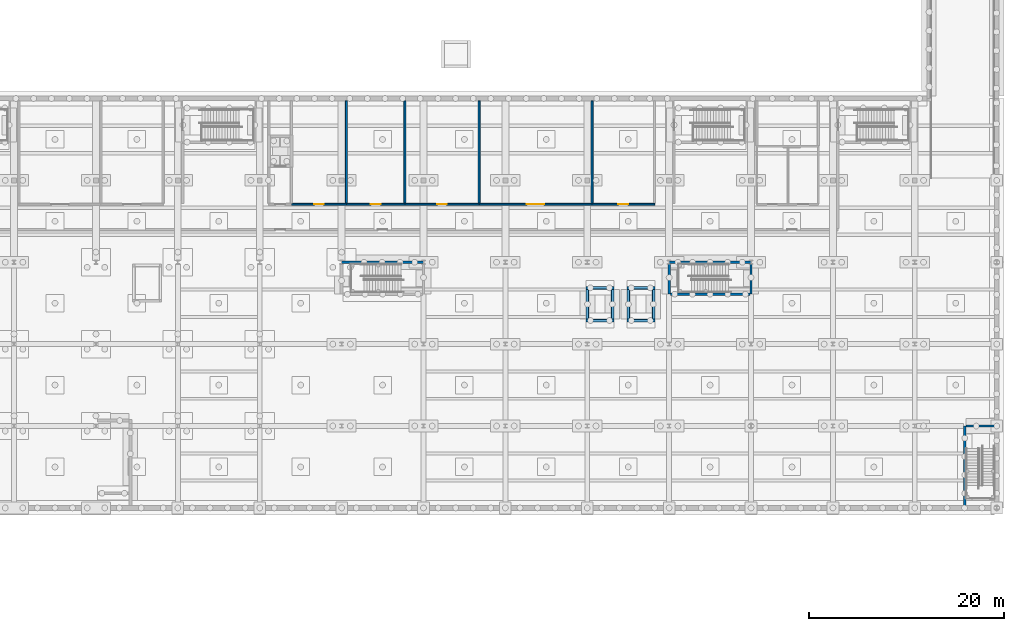
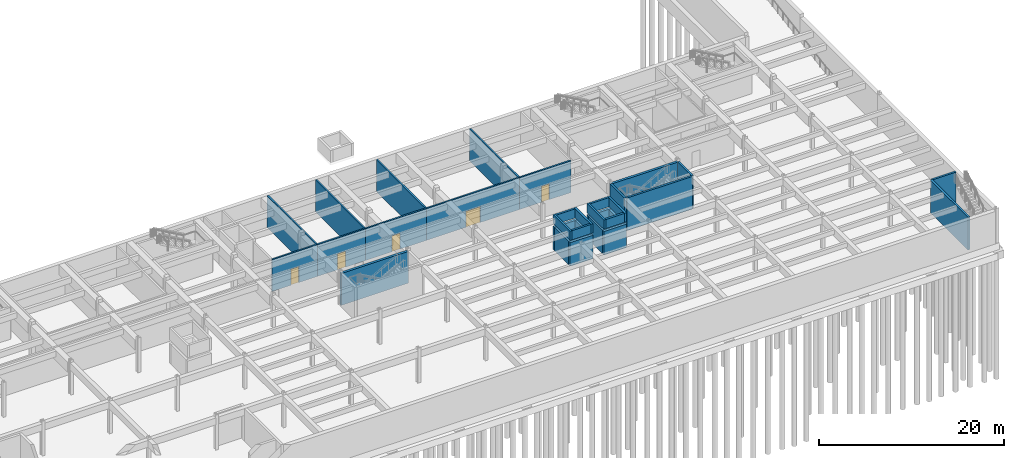
# One storey, part 24 of 33: 32 walls, 5 doors, 5 openings.
"""IFC4 building model written with IfcOpenShell, lengths in metres."""

from ifc_helpers import new_model, si_unit, direction, frame, frame_2d, origin, place, context, subcontext, project, spatial, rectangle, extrude, material, layer, layer_set, type_object, element, fill, save


model = new_model("IFC4")

# Units and contexts
model_context = context("Model", 3, precision=1e-05, world=origin(), true_north=direction((0.0, 1.0)))
body_context = subcontext(model_context, "Body", "Model", "MODEL_VIEW")
ifc_project = project(units=[si_unit("LENGTHUNIT", "METRE"), si_unit("AREAUNIT", "SQUARE_METRE"), si_unit("VOLUMEUNIT", "CUBIC_METRE"), si_unit("PLANEANGLEUNIT", "RADIAN"), si_unit("MASSUNIT", "GRAM", prefix="KILO")], contexts=[model_context])

# Site, building, storey
site_placement = place(None, origin())
site = spatial("IfcSite", under=ifc_project, at=site_placement, CompositionType="ELEMENT")
building_placement = place(site_placement, origin())
building = spatial("IfcBuilding", under=site, at=building_placement, Name="Ljudholm Concert House", CompositionType="ELEMENT")
storey_placement = place(building_placement, frame((0.0, 0.0, -4.60009765625)))
storey = spatial("IfcBuildingStorey", under=building, at=storey_placement, Name="B1", CompositionType="ELEMENT", Elevation=-4.60009765625)

# Wall, opening, door
ifc_material_1 = material(Name="Concrete masonry unit f'm 13.8 MPa", Category="masonry")
ifc_layer_1 = layer(ifc_material_1, 0.199951171875)
ifc_layer_set_1 = layer_set([ifc_layer_1], Name="Concrete masonry unit f'm 13.8 MPa")
wall_type_1 = type_object("IfcWallType", Name="MASONRY WALL 200", PredefinedType="SOLIDWALL", material=ifc_layer_set_1)
wall_1_placement = place(storey_placement, frame((49.25, 135.949951171875, 0.0), z_axis=(0.0, 0.0, 1.0), x_axis=(1.0, 0.0, 0.0)))
wall_1 = element("IfcWall", 1, at=wall_1_placement, inside=storey, type_object=wall_type_1, Name="Partition", PredefinedType="SOLIDWALL", context=body_context, shape_type="SweptSolid", body=[
    extrude(rectangle(XDim=5.64990234375, YDim=0.199951171875, at=frame_2d((2.824951171875, 0.0))), origin(), (0.0, 0.0, 1.0), 4.190185546875),
])
opening_1_placement = place(wall_1_placement, frame((2.324951171875, 0.0, 0.0)))
opening_1 = element("IfcOpeningElement", 2, at=opening_1_placement, cuts=wall_1, Name="Opening D-XB1-009", PredefinedType="OPENING", context=body_context, shape_type="SweptSolid", body=[
    extrude(rectangle(XDim=1.0, YDim=2.10009765625, at=frame_2d((0.5, 1.050048828125))), frame((0.0, 0.10986328125, 0.0), z_axis=(0.0, -1.0, 0.0), x_axis=(1.0, 0.0, 0.0)), (0.0, 0.0, 1.0), 0.219970703125),
])
ifc_material_2 = material(Name="Hollow metal door in steel frame", Category="steel")
door_type_1 = type_object("IfcDoorType", Name="SWING DOOR 1000x2100", OperationType="SINGLE_SWING_LEFT", PredefinedType="DOOR", material=ifc_material_2)
door_1_placement = place(opening_1_placement, origin())
door_1 = element("IfcDoor", 3, at=door_1_placement, inside=storey, type_object=door_type_1, Name="Electrical Room door", OperationType="SINGLE_SWING_RIGHT", OverallHeight=2.10009765625, OverallWidth=1.0, PredefinedType="DOOR", context=body_context, shape_type="SweptSolid", body=[
    extrude(rectangle(XDim=1.0, YDim=2.10009765625, at=frame_2d((0.5, 1.050048828125))), frame((0.0, 0.02490234375, 0.0), z_axis=(0.0, -1.0, 0.0), x_axis=(1.0, 0.0, 0.0)), (0.0, 0.0, 1.0), 0.050048828125),
])
fill(opening_1, door_1)

# Wall
wall_2_placement = place(storey_placement, frame((54.89990234375, 136.050048828125, 0.0), z_axis=(0.0, 0.0, 1.0), x_axis=(0.0, 1.0, 0.0)))
element("IfcWall", 4, at=wall_2_placement, inside=storey, type_object=wall_type_1, Name="Partition", PredefinedType="SOLIDWALL", context=body_context, shape_type="SweptSolid", body=[
    extrude(rectangle(XDim=10.5, YDim=0.199951171875, at=frame_2d((5.25, 0.0))), origin(), (0.0, 0.0, 1.0), 4.190185546875),
])

# Wall, opening, door
wall_3_placement = place(storey_placement, frame((54.89990234375, 135.949951171875, 0.0), z_axis=(0.0, 0.0, 1.0), x_axis=(1.0, 0.0, 0.0)))
wall_3 = element("IfcWall", 5, at=wall_3_placement, inside=storey, type_object=wall_type_1, Name="Partition", PredefinedType="SOLIDWALL", context=body_context, shape_type="SweptSolid", body=[
    extrude(rectangle(XDim=6.0, YDim=0.199951171875, at=frame_2d((3.0, 0.0))), origin(), (0.0, 0.0, 1.0), 4.190185546875),
])
opening_2_placement = place(wall_3_placement, frame((2.5, 0.0, 0.0)))
opening_2 = element("IfcOpeningElement", 6, at=opening_2_placement, cuts=wall_3, Name="Opening D-XB1-010", PredefinedType="OPENING", context=body_context, shape_type="SweptSolid", body=[
    extrude(rectangle(XDim=1.0, YDim=2.10009765625, at=frame_2d((0.5, 1.050048828125))), frame((0.0, 0.10986328125, 0.0), z_axis=(0.0, -1.0, 0.0), x_axis=(1.0, 0.0, 0.0)), (0.0, 0.0, 1.0), 0.219970703125),
])
door_2_placement = place(opening_2_placement, origin())
door_2 = element("IfcDoor", 7, at=door_2_placement, inside=storey, type_object=door_type_1, Name="Fire Pump Room door", OperationType="SINGLE_SWING_LEFT", OverallHeight=2.10009765625, OverallWidth=1.0, PredefinedType="DOOR", context=body_context, shape_type="SweptSolid", body=[
    extrude(rectangle(XDim=1.0, YDim=2.10009765625, at=frame_2d((0.5, 1.050048828125))), frame((0.0, 0.02490234375, 0.0), z_axis=(0.0, -1.0, 0.0), x_axis=(1.0, 0.0, 0.0)), (0.0, 0.0, 1.0), 0.050048828125),
])
fill(opening_2, door_2)

# Wall
wall_4_placement = place(storey_placement, frame((60.89990234375, 136.050048828125, 0.0), z_axis=(0.0, 0.0, 1.0), x_axis=(0.0, 1.0, 0.0)))
element("IfcWall", 8, at=wall_4_placement, inside=storey, type_object=wall_type_1, Name="Partition", PredefinedType="SOLIDWALL", context=body_context, shape_type="SweptSolid", body=[
    extrude(rectangle(XDim=10.5, YDim=0.199951171875, at=frame_2d((5.25, 0.0))), origin(), (0.0, 0.0, 1.0), 4.190185546875),
])

# Wall, opening, door
wall_5_placement = place(storey_placement, frame((60.89990234375, 135.949951171875, 0.0), z_axis=(0.0, 0.0, 1.0), x_axis=(1.0, 0.0, 0.0)))
wall_5 = element("IfcWall", 9, at=wall_5_placement, inside=storey, type_object=wall_type_1, Name="Partition", PredefinedType="SOLIDWALL", context=body_context, shape_type="SweptSolid", body=[
    extrude(rectangle(XDim=7.60009765625, YDim=0.199951171875, at=frame_2d((3.800048828125, 0.0))), origin(), (0.0, 0.0, 1.0), 4.190185546875),
])
opening_3_placement = place(wall_5_placement, frame((3.300048828125, 0.0, 0.0)))
opening_3 = element("IfcOpeningElement", 10, at=opening_3_placement, cuts=wall_5, Name="Opening D-XB1-011", PredefinedType="OPENING", context=body_context, shape_type="SweptSolid", body=[
    extrude(rectangle(XDim=1.0, YDim=2.10009765625, at=frame_2d((0.5, 1.050048828125))), frame((0.0, 0.10986328125, 0.0), z_axis=(0.0, -1.0, 0.0), x_axis=(1.0, 0.0, 0.0)), (0.0, 0.0, 1.0), 0.219970703125),
])
door_3_placement = place(opening_3_placement, origin())
door_3 = element("IfcDoor", 11, at=door_3_placement, inside=storey, type_object=door_type_1, Name="Parking Store door", OperationType="SINGLE_SWING_LEFT", OverallHeight=2.10009765625, OverallWidth=1.0, PredefinedType="DOOR", context=body_context, shape_type="SweptSolid", body=[
    extrude(rectangle(XDim=1.0, YDim=2.10009765625, at=frame_2d((0.5, 1.050048828125))), frame((0.0, 0.02490234375, 0.0), z_axis=(0.0, -1.0, 0.0), x_axis=(1.0, 0.0, 0.0)), (0.0, 0.0, 1.0), 0.050048828125),
])
fill(opening_3, door_3)

# Wall
wall_6_placement = place(storey_placement, frame((68.5, 136.050048828125, 0.0), z_axis=(0.0, 0.0, 1.0), x_axis=(0.0, 1.0, 0.0)))
element("IfcWall", 12, at=wall_6_placement, inside=storey, type_object=wall_type_1, Name="Partition", PredefinedType="SOLIDWALL", context=body_context, shape_type="SweptSolid", body=[
    extrude(rectangle(XDim=10.5, YDim=0.199951171875, at=frame_2d((5.25, 0.0))), origin(), (0.0, 0.0, 1.0), 4.190185546875),
])

# Wall, opening, door
wall_7_placement = place(storey_placement, frame((68.5, 135.949951171875, 0.0), z_axis=(0.0, 0.0, 1.0), x_axis=(1.0, 0.0, 0.0)))
wall_7 = element("IfcWall", 13, at=wall_7_placement, inside=storey, type_object=wall_type_1, Name="Partition", PredefinedType="SOLIDWALL", context=body_context, shape_type="SweptSolid", body=[
    extrude(rectangle(XDim=11.60009765625, YDim=0.199951171875, at=frame_2d((5.800048828125, 0.0))), origin(), (0.0, 0.0, 1.0), 4.190185546875),
])
opening_4_placement = place(wall_7_placement, frame((4.89990234375, 0.0, 0.0)))
opening_4 = element("IfcOpeningElement", 14, at=opening_4_placement, cuts=wall_7, Name="Opening D-XB1-012", PredefinedType="OPENING", context=body_context, shape_type="SweptSolid", body=[
    extrude(rectangle(XDim=1.800048828125, YDim=2.10009765625, at=frame_2d((0.89990234375, 1.050048828125))), frame((0.0, 0.10986328125, 0.0), z_axis=(0.0, -1.0, 0.0), x_axis=(1.0, 0.0, 0.0)), (0.0, 0.0, 1.0), 0.219970703125),
])
ifc_material_3 = material(Name="Hollow metal door in steel frame", Category="steel")
door_type_2 = type_object("IfcDoorType", Name="DOUBLE DOOR 1800x2100", OperationType="DOUBLE_DOOR_SINGLE_SWING", PredefinedType="DOOR", material=ifc_material_3)
door_4_placement = place(opening_4_placement, origin())
door_4 = element("IfcDoor", 15, at=door_4_placement, inside=storey, type_object=door_type_2, Name="Generator Room door", OperationType="DOUBLE_DOOR_SINGLE_SWING", OverallHeight=2.10009765625, OverallWidth=1.800048828125, PredefinedType="DOOR", context=body_context, shape_type="SweptSolid", body=[
    extrude(rectangle(XDim=1.800048828125, YDim=2.10009765625, at=frame_2d((0.89990234375, 1.050048828125))), frame((0.0, 0.02490234375, 0.0), z_axis=(0.0, -1.0, 0.0), x_axis=(1.0, 0.0, 0.0)), (0.0, 0.0, 1.0), 0.050048828125),
])
fill(opening_4, door_4)

# Wall
wall_8_placement = place(storey_placement, frame((80.10009765625, 136.050048828125, 0.0), z_axis=(0.0, 0.0, 1.0), x_axis=(0.0, 1.0, 0.0)))
element("IfcWall", 16, at=wall_8_placement, inside=storey, type_object=wall_type_1, Name="Partition", PredefinedType="SOLIDWALL", context=body_context, shape_type="SweptSolid", body=[
    extrude(rectangle(XDim=10.5, YDim=0.199951171875, at=frame_2d((5.25, 0.0))), origin(), (0.0, 0.0, 1.0), 4.190185546875),
])

# Wall, opening, door
wall_9_placement = place(storey_placement, frame((80.10009765625, 135.949951171875, 0.0), z_axis=(0.0, 0.0, 1.0), x_axis=(1.0, 0.0, 0.0)))
wall_9 = element("IfcWall", 17, at=wall_9_placement, inside=storey, type_object=wall_type_1, Name="Partition", PredefinedType="SOLIDWALL", context=body_context, shape_type="SweptSolid", body=[
    extrude(rectangle(XDim=6.39990234375, YDim=0.199951171875, at=frame_2d((3.199951171875, 0.0))), origin(), (0.0, 0.0, 1.0), 4.190185546875),
])
opening_5_placement = place(wall_9_placement, frame((2.699951171875, 0.0, 0.0)))
opening_5 = element("IfcOpeningElement", 18, at=opening_5_placement, cuts=wall_9, Name="Opening D-XB1-013", PredefinedType="OPENING", context=body_context, shape_type="SweptSolid", body=[
    extrude(rectangle(XDim=1.0, YDim=2.10009765625, at=frame_2d((0.5, 1.050048828125))), frame((0.0, 0.10986328125, 0.0), z_axis=(0.0, -1.0, 0.0), x_axis=(1.0, 0.0, 0.0)), (0.0, 0.0, 1.0), 0.219970703125),
])
door_5_placement = place(opening_5_placement, origin())
door_5 = element("IfcDoor", 19, at=door_5_placement, inside=storey, type_object=door_type_1, Name="Water Tank Room door", OperationType="SINGLE_SWING_RIGHT", OverallHeight=2.10009765625, OverallWidth=1.0, PredefinedType="DOOR", context=body_context, shape_type="SweptSolid", body=[
    extrude(rectangle(XDim=1.0, YDim=2.10009765625, at=frame_2d((0.5, 1.050048828125))), frame((0.0, 0.02490234375, 0.0), z_axis=(0.0, -1.0, 0.0), x_axis=(1.0, 0.0, 0.0)), (0.0, 0.0, 1.0), 0.050048828125),
])
fill(opening_5, door_5)

# Walls
ifc_material_4 = material(Name="Concrete 6,500 psi", Category="concrete")
ifc_layer_2 = layer(ifc_material_4, 0.25)
ifc_layer_set_2 = layer_set([ifc_layer_2], Name="Concrete 6,500 psi")
wall_type_2 = type_object("IfcWallType", Name="RC CORE WALL 250", PredefinedType="SHEAR", material=ifc_layer_set_2)
for number, where, z_axis, x_axis, name in (
    (20, (88.0, 126.72509765625, 0.0), (0.0, 0.0, 1.0), (0.0, 1.0, 0.0), "Basement core wall"),
    (21, (96.39990234375, 126.72509765625, 0.0), (0.0, 0.0, 1.0), (0.0, 1.0, 0.0), "Basement core wall"),
):
    element("IfcWall", number, at=place(storey_placement, frame(where, z_axis=z_axis, x_axis=x_axis)), inside=storey, type_object=wall_type_2, Name=name, PredefinedType="SHEAR", context=body_context, shape_type="SweptSolid", body=[
        extrude(rectangle(XDim=3.088134765625, YDim=0.25, at=frame_2d((1.5439453125, 0.0))), origin(), (0.0, 0.0, 1.0), 4.300048828125),
    ])
wall_10_placement = place(storey_placement, frame((118.324951171875, 105.050048828125, 0.0), z_axis=(0.0, 0.0, 1.0), x_axis=(0.0, 1.0, 0.0)))
element("IfcWall", 22, at=wall_10_placement, inside=storey, type_object=wall_type_2, Name="Basement core wall", PredefinedType="SHEAR", context=body_context, shape_type="SweptSolid", body=[
    extrude(rectangle(XDim=8.14990234375, YDim=0.25, at=frame_2d((4.074951171875, 0.0))), origin(), (0.0, 0.0, 1.0), 4.300048828125),
])
wall_11_placement = place(storey_placement, frame((118.449951171875, 113.199951171875, 0.0), z_axis=(0.0, 0.0, 1.0), x_axis=(1.0, 0.0, 0.0)))
element("IfcWall", 23, at=wall_11_placement, inside=storey, type_object=wall_type_2, Name="Basement core wall", PredefinedType="SHEAR", context=body_context, shape_type="SweptSolid", body=[
    extrude(rectangle(XDim=2.900146484375, YDim=0.25, at=frame_2d((1.4501953125, 0.0))), origin(), (0.0, 0.0, 1.0), 4.300048828125),
])
wall_12_placement = place(storey_placement, frame((88.125, 126.72509765625, 0.0), z_axis=(0.0, 0.0, 1.0), x_axis=(1.0, 0.0, 0.0)))
element("IfcWall", 24, at=wall_12_placement, inside=storey, type_object=wall_type_2, Name="Basement core wall", PredefinedType="SHEAR", context=body_context, shape_type="SweptSolid", body=[
    extrude(rectangle(XDim=8.14990234375, YDim=0.25, at=frame_2d((4.074951171875, 0.0))), origin(), (0.0, 0.0, 1.0), 4.300048828125),
])
ifc_material_5 = material(Name="Concrete 6,500 psi", Category="concrete")
ifc_layer_3 = layer(ifc_material_5, 0.300048828125)
ifc_layer_set_3 = layer_set([ifc_layer_3], Name="Concrete 6,500 psi")
wall_type_3 = type_object("IfcWallType", Name="RC CORE WALL 300 INTERNAL", PredefinedType="SHEAR", material=ifc_layer_set_3)
for number, where, z_axis, x_axis, name in (
    (25, (54.408203125, 130.0, 0.0), (0.0, 0.0, 1.0), (1.0, 0.0, 0.0), "Basement core wall"),
    (26, (88.00830078125, 130.0, 0.0), (0.0, 0.0, 1.0), (1.0, 0.0, 0.0), "Basement core wall"),
):
    element("IfcWall", number, at=place(storey_placement, frame(where, z_axis=z_axis, x_axis=x_axis)), inside=storey, type_object=wall_type_3, Name=name, PredefinedType="SHEAR", context=body_context, shape_type="SweptSolid", body=[
        extrude(rectangle(XDim=8.383544921875, YDim=0.300048828125, at=frame_2d((4.19189453125, 0.0))), origin(), (0.0, 0.0, 1.0), 4.190185546875),
    ])
ifc_material_6 = material(Name="Concrete 6,500 psi", Category="concrete")
ifc_layer_4 = layer(ifc_material_6, 0.25)
ifc_layer_set_4 = layer_set([ifc_layer_4], Name="Concrete 6,500 psi")
wall_type_4 = type_object("IfcWallType", Name="RC WALL 250", PredefinedType="SOLIDWALL", material=ifc_layer_set_4)
for number, where, z_axis, x_axis, name in (
    (27, (79.60009765625, 123.875, 3.400146484375), (0.0, 0.0, 1.0), (0.0, 1.0, 0.0), "Lift pit wall"),
    (28, (82.199951171875, 123.875, 3.400146484375), (0.0, 0.0, 1.0), (0.0, 1.0, 0.0), "Lift pit wall"),
):
    element("IfcWall", number, at=place(storey_placement, frame(where, z_axis=z_axis, x_axis=x_axis)), inside=storey, type_object=wall_type_4, Name=name, PredefinedType="SOLIDWALL", context=body_context, shape_type="SweptSolid", body=[
        extrude(rectangle(XDim=3.64990234375, YDim=0.25, at=frame_2d((1.824951171875, 0.0))), origin(), (0.0, 0.0, 1.0), 1.199951171875),
    ])
for number, where, z_axis, x_axis, name in (
    (29, (79.72509765625, 124.0, 3.400146484375), (0.0, 0.0, 1.0), (1.0, 0.0, 0.0), "Lift pit wall"),
    (30, (79.72509765625, 127.39990234375, 3.400146484375), (0.0, 0.0, 1.0), (1.0, 0.0, 0.0), "Lift pit wall"),
):
    element("IfcWall", number, at=place(storey_placement, frame(where, z_axis=z_axis, x_axis=x_axis)), inside=storey, type_object=wall_type_4, Name=name, PredefinedType="SOLIDWALL", context=body_context, shape_type="SweptSolid", body=[
        extrude(rectangle(XDim=2.349853515625, YDim=0.25, at=frame_2d((1.1748046875, 0.0))), origin(), (0.0, 0.0, 1.0), 1.199951171875),
    ])
for number, where, z_axis, x_axis, name in (
    (31, (83.800048828125, 123.875, 3.400146484375), (0.0, 0.0, 1.0), (0.0, 1.0, 0.0), "Lift pit wall"),
    (32, (86.39990234375, 123.875, 3.400146484375), (0.0, 0.0, 1.0), (0.0, 1.0, 0.0), "Lift pit wall"),
):
    element("IfcWall", number, at=place(storey_placement, frame(where, z_axis=z_axis, x_axis=x_axis)), inside=storey, type_object=wall_type_4, Name=name, PredefinedType="SOLIDWALL", context=body_context, shape_type="SweptSolid", body=[
        extrude(rectangle(XDim=3.64990234375, YDim=0.25, at=frame_2d((1.824951171875, 0.0))), origin(), (0.0, 0.0, 1.0), 1.199951171875),
    ])
for number, where, z_axis, x_axis, name in (
    (33, (83.925048828125, 124.0, 3.400146484375), (0.0, 0.0, 1.0), (1.0, 0.0, 0.0), "Lift pit wall"),
    (34, (83.925048828125, 127.39990234375, 3.400146484375), (0.0, 0.0, 1.0), (1.0, 0.0, 0.0), "Lift pit wall"),
):
    element("IfcWall", number, at=place(storey_placement, frame(where, z_axis=z_axis, x_axis=x_axis)), inside=storey, type_object=wall_type_4, Name=name, PredefinedType="SOLIDWALL", context=body_context, shape_type="SweptSolid", body=[
        extrude(rectangle(XDim=2.349853515625, YDim=0.25, at=frame_2d((1.1748046875, 0.0))), origin(), (0.0, 0.0, 1.0), 1.199951171875),
    ])
ifc_material_7 = material(Name="Concrete 6,500 psi", Category="concrete")
ifc_layer_5 = layer(ifc_material_7, 0.300048828125)
ifc_layer_set_5 = layer_set([ifc_layer_5], Name="Concrete 6,500 psi")
wall_type_5 = type_object("IfcWallType", Name="RC WALL 300", PredefinedType="SOLIDWALL", material=ifc_layer_set_5)
for number, where, z_axis, x_axis, name in (
    (35, (79.47509765625, 124.02490234375, 0.0), (0.0, 0.0, 1.0), (1.0, 0.0, 0.0), "Lift pit support wall"),
    (36, (79.47509765625, 127.375, 0.0), (0.0, 0.0, 1.0), (1.0, 0.0, 0.0), "Lift pit support wall"),
):
    element("IfcWall", number, at=place(storey_placement, frame(where, z_axis=z_axis, x_axis=x_axis)), inside=storey, type_object=wall_type_5, Name=name, PredefinedType="SOLIDWALL", context=body_context, shape_type="SweptSolid", body=[
        extrude(rectangle(XDim=2.849853515625, YDim=0.300048828125, at=frame_2d((1.4248046875, 0.0))), origin(), (0.0, 0.0, 1.0), 3.10009765625),
    ])
for number, where, z_axis, x_axis, name in (
    (37, (79.625, 124.175048828125, 0.0), (0.0, 0.0, 1.0), (0.0, 1.0, 0.0), "Lift pit support wall"),
    (38, (82.175048828125, 124.175048828125, 0.0), (0.0, 0.0, 1.0), (0.0, 1.0, 0.0), "Lift pit support wall"),
):
    element("IfcWall", number, at=place(storey_placement, frame(where, z_axis=z_axis, x_axis=x_axis)), inside=storey, type_object=wall_type_5, Name=name, PredefinedType="SOLIDWALL", context=body_context, shape_type="SweptSolid", body=[
        extrude(rectangle(XDim=3.050048828125, YDim=0.300048828125, at=frame_2d((1.52490234375, 0.0))), origin(), (0.0, 0.0, 1.0), 3.10009765625),
    ])
for number, where, z_axis, x_axis, name in (
    (39, (83.675048828125, 124.02490234375, 0.0), (0.0, 0.0, 1.0), (1.0, 0.0, 0.0), "Lift pit support wall"),
    (40, (83.675048828125, 127.375, 0.0), (0.0, 0.0, 1.0), (1.0, 0.0, 0.0), "Lift pit support wall"),
):
    element("IfcWall", number, at=place(storey_placement, frame(where, z_axis=z_axis, x_axis=x_axis)), inside=storey, type_object=wall_type_5, Name=name, PredefinedType="SOLIDWALL", context=body_context, shape_type="SweptSolid", body=[
        extrude(rectangle(XDim=2.849853515625, YDim=0.300048828125, at=frame_2d((1.4248046875, 0.0))), origin(), (0.0, 0.0, 1.0), 3.10009765625),
    ])
for number, where, z_axis, x_axis, name in (
    (41, (83.824951171875, 124.175048828125, 0.0), (0.0, 0.0, 1.0), (0.0, 1.0, 0.0), "Lift pit support wall"),
    (42, (86.375, 124.175048828125, 0.0), (0.0, 0.0, 1.0), (0.0, 1.0, 0.0), "Lift pit support wall"),
):
    element("IfcWall", number, at=place(storey_placement, frame(where, z_axis=z_axis, x_axis=x_axis)), inside=storey, type_object=wall_type_5, Name=name, PredefinedType="SOLIDWALL", context=body_context, shape_type="SweptSolid", body=[
        extrude(rectangle(XDim=3.050048828125, YDim=0.300048828125, at=frame_2d((1.52490234375, 0.0))), origin(), (0.0, 0.0, 1.0), 3.10009765625),
    ])

save(model, "model.ifc")
